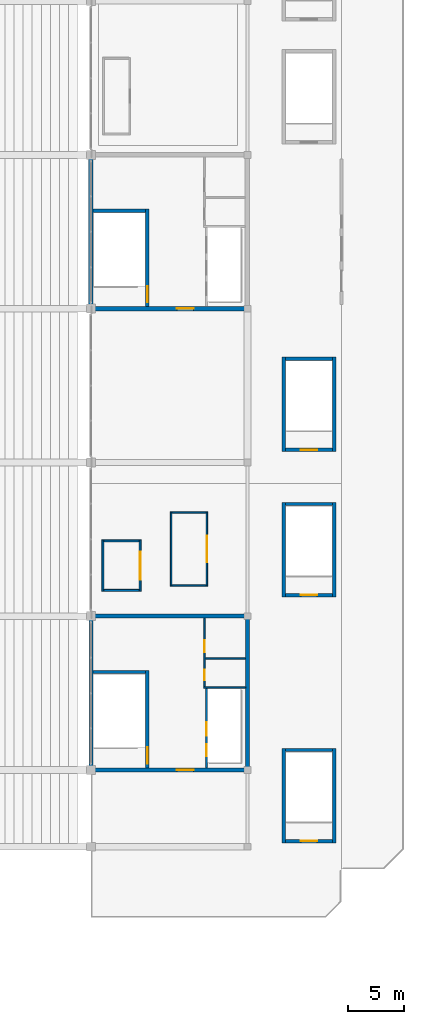
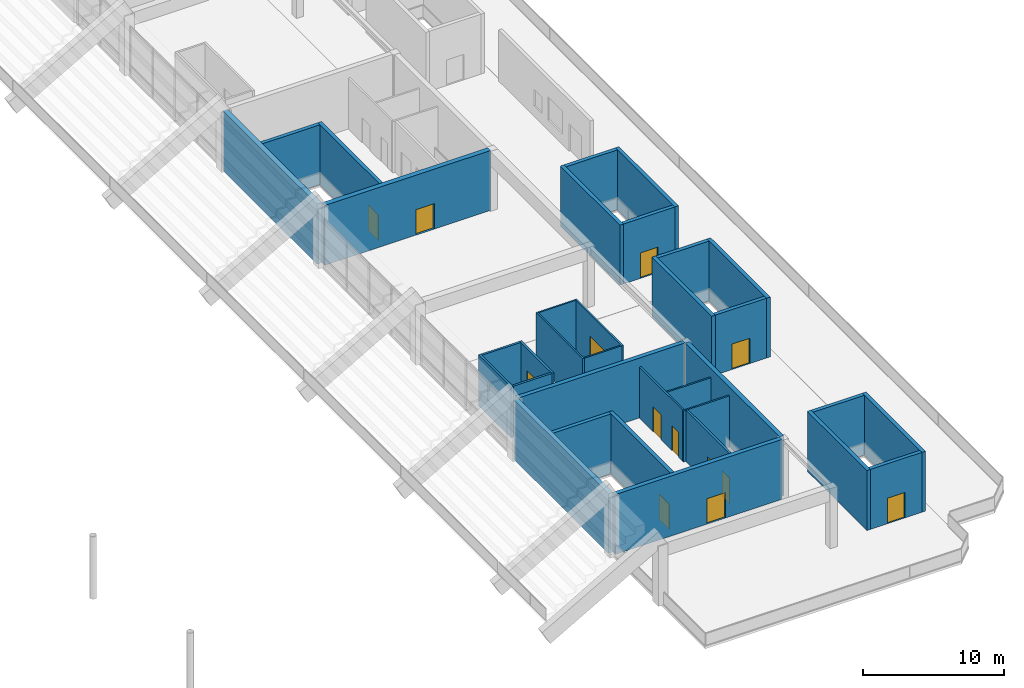
# One storey, part 73 of 90: 34 walls, 13 doors, 13 openings.
"""IFC4 building model written with IfcOpenShell, lengths in metres."""

from ifc_helpers import new_model, si_unit, direction, frame, frame_2d, origin, place, context, subcontext, project, spatial, rectangle, extrude, material, layer, layer_set, type_object, element, fill, save


model = new_model("IFC4")

# Units and contexts
model_context = context("Model", 3, precision=1e-05, world=origin(), true_north=direction((0.0, 1.0)))
body_context = subcontext(model_context, "Body", "Model", "MODEL_VIEW")
ifc_project = project(units=[si_unit("LENGTHUNIT", "METRE"), si_unit("AREAUNIT", "SQUARE_METRE"), si_unit("VOLUMEUNIT", "CUBIC_METRE"), si_unit("PLANEANGLEUNIT", "RADIAN"), si_unit("MASSUNIT", "GRAM", prefix="KILO")], contexts=[model_context])

# Site, building, storey
site_placement = place(None, origin())
site = spatial("IfcSite", under=ifc_project, at=site_placement, CompositionType="ELEMENT")
building_placement = place(site_placement, origin())
building = spatial("IfcBuilding", under=site, at=building_placement, Name="Linyun Crest Stadium", CompositionType="ELEMENT")
storey_placement = place(building_placement, frame((0.0, 0.0, 21.0)))
storey = spatial("IfcBuildingStorey", under=building, at=storey_placement, Name="L05", CompositionType="ELEMENT", Elevation=21.0)

# Walls
ifc_material_1 = material(Name="Concrete C50", Category="concrete")
ifc_layer_1 = layer(ifc_material_1, 0.35009765625)
ifc_layer_set_1 = layer_set([ifc_layer_1], Name="Concrete C50")
wall_type_1 = type_object("IfcWallType", Name="CW01", PredefinedType="SHEAR", material=ifc_layer_set_1)
for number, where, z_axis, x_axis, name in (
    (1, (70.0, -38.949951171875, 0.0), (0.0, 0.0, 1.0), (0.0, 1.0, 0.0), "Core shear wall CW01 CORE-E1 L05.1"),
    (2, (84.0, -38.949951171875, 0.0), (0.0, 0.0, 1.0), (0.0, 1.0, 0.0), "Core shear wall CW01 CORE-E1 L05.2"),
):
    element("IfcWall", number, at=place(storey_placement, frame(where, z_axis=z_axis, x_axis=x_axis)), inside=storey, type_object=wall_type_1, Name=name, PredefinedType="SHEAR", context=body_context, shape_type="SweptSolid", body=[
        extrude(rectangle(XDim=13.39990234375, YDim=0.35009765625, at=frame_2d((6.699951171875, 0.0))), origin(), (0.0, 0.0, 1.0), 5.18505859375),
    ])

# Wall, opening, door
wall_1_placement = place(storey_placement, frame((70.175048828125, -39.125, 0.0), z_axis=(0.0, 0.0, 1.0), x_axis=(1.0, 0.0, 0.0)))
wall_1 = element("IfcWall", 3, at=wall_1_placement, inside=storey, type_object=wall_type_1, Name="Core shear wall CW01 CORE-E1 L05.3", PredefinedType="SHEAR", context=body_context, shape_type="SweptSolid", body=[
    extrude(rectangle(XDim=13.64990234375, YDim=0.35009765625, at=frame_2d((6.824951171875, 0.0))), origin(), (0.0, 0.0, 1.0), 5.18505859375),
])
opening_1_placement = place(wall_1_placement, frame((7.508056640625, 0.0, 0.0)))
opening_1 = element("IfcOpeningElement", 4, at=opening_1_placement, cuts=wall_1, Name="Opening D-L05-178", PredefinedType="OPENING", context=body_context, shape_type="SweptSolid", body=[
    extrude(rectangle(XDim=1.5, YDim=2.199951171875, at=frame_2d((0.75, 1.10009765625))), frame((0.0, 0.18505859375, 0.0), z_axis=(0.0, -1.0, 0.0), x_axis=(1.0, 0.0, 0.0)), (0.0, 0.0, 1.0), 0.3701171875),
])
ifc_material_2 = material(Name="Galvanized steel Class A fire door", Category="steel")
ifc_layer_2 = layer(ifc_material_2, 0.054931640625)
ifc_layer_set_2 = layer_set([ifc_layer_2], Name="Galvanized steel Class A fire door")
door_type_1 = type_object("IfcDoorType", Name="FD01", OperationType="NOTDEFINED", PredefinedType="DOOR", material=ifc_layer_set_2)
door_1_placement = place(opening_1_placement, origin())
door_1 = element("IfcDoor", 5, at=door_1_placement, inside=storey, type_object=door_type_1, Name="Door D-L05-178", OperationType="SINGLE_SWING_RIGHT", OverallHeight=2.199951171875, OverallWidth=1.5, PredefinedType="DOOR", context=body_context, shape_type="SweptSolid", body=[
    extrude(rectangle(XDim=1.5, YDim=2.199951171875, at=frame_2d((0.75, 1.10009765625))), frame((0.0, 0.02490234375, 0.0), z_axis=(0.0, -1.0, 0.0), x_axis=(1.0, 0.0, 0.0)), (0.0, 0.0, 1.0), 0.050048828125),
])
fill(opening_1, door_1)

# Walls
wall_2_placement = place(storey_placement, frame((70.175048828125, -25.375, 0.0), z_axis=(0.0, 0.0, 1.0), x_axis=(1.0, 0.0, 0.0)))
element("IfcWall", 6, at=wall_2_placement, inside=storey, type_object=wall_type_1, Name="Core shear wall CW01 CORE-E1 L05.4", PredefinedType="SHEAR", context=body_context, shape_type="SweptSolid", body=[
    extrude(rectangle(XDim=13.64990234375, YDim=0.35009765625, at=frame_2d((6.824951171875, 0.0))), origin(), (0.0, 0.0, 1.0), 5.18505859375),
])
ifc_material_3 = material(Name="Concrete C50", Category="concrete")
ifc_layer_3 = layer(ifc_material_3, 0.39990234375)
ifc_layer_set_3 = layer_set([ifc_layer_3], Name="Concrete C50")
wall_type_2 = type_object("IfcWallType", Name="CW02", PredefinedType="SHEAR", material=ifc_layer_set_3)
wall_3_placement = place(storey_placement, frame((70.0, 2.324951171875, 0.0), z_axis=(0.0, 0.0, 1.0), x_axis=(0.0, 1.0, 0.0)))
element("IfcWall", 7, at=wall_3_placement, inside=storey, type_object=wall_type_2, Name="Core shear wall CW02 CORE-E2 L05.1", PredefinedType="SHEAR", context=body_context, shape_type="SweptSolid", body=[
    extrude(rectangle(XDim=13.35009765625, YDim=0.39990234375, at=frame_2d((6.675048828125, 0.0))), origin(), (0.0, 0.0, 1.0), 5.18505859375),
])

# Wall, opening, door
wall_4_placement = place(storey_placement, frame((70.199951171875, 2.125, 0.0), z_axis=(0.0, 0.0, 1.0), x_axis=(1.0, 0.0, 0.0)))
wall_4 = element("IfcWall", 8, at=wall_4_placement, inside=storey, type_object=wall_type_2, Name="Core shear wall CW02 CORE-E2 L05.3", PredefinedType="SHEAR", context=body_context, shape_type="SweptSolid", body=[
    extrude(rectangle(XDim=13.60009765625, YDim=0.39990234375, at=frame_2d((6.800048828125, 0.0))), origin(), (0.0, 0.0, 1.0), 5.18505859375),
])
opening_2_placement = place(wall_4_placement, frame((7.47998046875, 0.0, 0.0)))
opening_2 = element("IfcOpeningElement", 9, at=opening_2_placement, cuts=wall_4, Name="Opening D-L05-219", PredefinedType="OPENING", context=body_context, shape_type="SweptSolid", body=[
    extrude(rectangle(XDim=1.5, YDim=2.199951171875, at=frame_2d((0.75, 1.10009765625))), frame((0.0, 0.2099609375, 0.0), z_axis=(0.0, -1.0, 0.0), x_axis=(1.0, 0.0, 0.0)), (0.0, 0.0, 1.0), 0.419921875),
])
door_2_placement = place(opening_2_placement, origin())
door_2 = element("IfcDoor", 10, at=door_2_placement, inside=storey, type_object=door_type_1, Name="Door D-L05-219", OperationType="SINGLE_SWING_LEFT", OverallHeight=2.199951171875, OverallWidth=1.5, PredefinedType="DOOR", context=body_context, shape_type="SweptSolid", body=[
    extrude(rectangle(XDim=1.5, YDim=2.199951171875, at=frame_2d((0.75, 1.10009765625))), frame((0.0, 0.02490234375, 0.0), z_axis=(0.0, -1.0, 0.0), x_axis=(1.0, 0.0, 0.0)), (0.0, 0.0, 1.0), 0.050048828125),
])
fill(opening_2, door_2)

# Wall, openings, doors
ifc_material_4 = material(Name="Autoclaved aerated concrete block fire partition", Category="concrete")
ifc_layer_4 = layer(ifc_material_4, 0.179931640625)
ifc_layer_set_4 = layer_set([ifc_layer_4], Name="Autoclaved aerated concrete block fire partition")
wall_type_3 = type_object("IfcWallType", Name="PW12", PredefinedType="PARTITIONING", material=ifc_layer_set_4)
wall_5_placement = place(storey_placement, frame((80.35009765625, -38.949951171875, 0.0), z_axis=(0.0, 0.0, 1.0), x_axis=(0.0, 1.0, 0.0)))
wall_5 = element("IfcWall", 11, at=wall_5_placement, inside=storey, type_object=wall_type_3, Name="Partition PW12 L05 67", PredefinedType="PARTITIONING", context=body_context, shape_type="SweptSolid", body=[
    extrude(rectangle(XDim=7.10498046875, YDim=0.179931640625, at=frame_2d((3.552490234375, 0.0))), origin(), (0.0, 0.0, 1.0), 4.419921875),
])
opening_3_placement = place(wall_5_placement, frame((1.02490234375, 0.0, 0.0)))
opening_3 = element("IfcOpeningElement", 12, at=opening_3_placement, cuts=wall_5, Name="Opening LD059", PredefinedType="OPENING", context=body_context, shape_type="SweptSolid", body=[
    extrude(rectangle(XDim=1.10009765625, YDim=2.199951171875, at=frame_2d((0.550048828125, 1.10009765625))), frame((0.0, 0.099853515625, 0.0), z_axis=(0.0, -1.0, 0.0), x_axis=(1.0, 0.0, 0.0)), (0.0, 0.0, 1.0), 0.199951171875),
])
opening_4_placement = place(wall_5_placement, frame((2.875, 0.0, 0.0)))
opening_4 = element("IfcOpeningElement", 13, at=opening_4_placement, cuts=wall_5, Name="Opening LD060", PredefinedType="OPENING", context=body_context, shape_type="SweptSolid", body=[
    extrude(rectangle(XDim=1.199951171875, YDim=2.25, at=frame_2d((0.60009765625, 1.125))), frame((0.0, 0.099853515625, 0.0), z_axis=(0.0, -1.0, 0.0), x_axis=(1.0, 0.0, 0.0)), (0.0, 0.0, 1.0), 0.199951171875),
])
ifc_material_5 = material(Name="Brushed stainless sliding lift door")
ifc_layer_5 = layer(ifc_material_5, 0.050048828125)
ifc_layer_set_5 = layer_set([ifc_layer_5], Name="Brushed stainless sliding lift door")
door_type_2 = type_object("IfcDoorType", Name="LD01", OperationType="NOTDEFINED", PredefinedType="DOOR", material=ifc_layer_set_5)
door_3_placement = place(opening_3_placement, origin())
door_3 = element("IfcDoor", 14, at=door_3_placement, inside=storey, type_object=door_type_2, Name="Lift landing door LD059", OperationType="DOUBLE_DOOR_SLIDING", OverallHeight=2.199951171875, OverallWidth=1.10009765625, PredefinedType="DOOR", context=body_context, shape_type="SweptSolid", body=[
    extrude(rectangle(XDim=1.10009765625, YDim=2.199951171875, at=frame_2d((0.550048828125, 1.10009765625))), frame((0.0, 0.02490234375, 0.0), z_axis=(0.0, -1.0, 0.0), x_axis=(1.0, 0.0, 0.0)), (0.0, 0.0, 1.0), 0.050048828125),
])
fill(opening_3, door_3)
ifc_material_6 = material(Name="Brushed stainless sliding lift door")
ifc_layer_6 = layer(ifc_material_6, 0.050048828125)
ifc_layer_set_6 = layer_set([ifc_layer_6], Name="Brushed stainless sliding lift door")
door_type_3 = type_object("IfcDoorType", Name="LD02", OperationType="NOTDEFINED", PredefinedType="DOOR", material=ifc_layer_set_6)
door_4_placement = place(opening_4_placement, origin())
door_4 = element("IfcDoor", 15, at=door_4_placement, inside=storey, type_object=door_type_3, Name="Lift landing door LD060", OperationType="DOUBLE_DOOR_SLIDING", OverallHeight=2.25, OverallWidth=1.199951171875, PredefinedType="DOOR", context=body_context, shape_type="SweptSolid", body=[
    extrude(rectangle(XDim=1.199951171875, YDim=2.25, at=frame_2d((0.60009765625, 1.125))), frame((0.0, 0.02490234375, 0.0), z_axis=(0.0, -1.0, 0.0), x_axis=(1.0, 0.0, 0.0)), (0.0, 0.0, 1.0), 0.050048828125),
])
fill(opening_4, door_4)

ifc_material_7 = material(Name="Moisture-resistant ceramic-tiled wet-room wall")
ifc_layer_7 = layer(ifc_material_7, 0.139892578125)
ifc_layer_set_7 = layer_set([ifc_layer_7], Name="Moisture-resistant ceramic-tiled wet-room wall")
wall_type_4 = type_object("IfcWallType", Name="PW15", PredefinedType="PARTITIONING", material=ifc_layer_set_7)
wall_6_placement = place(storey_placement, frame((80.14990234375, -31.705078125, 0.0), z_axis=(0.0, 0.0, 1.0), x_axis=(0.0, 1.0, 0.0)))
wall_6 = element("IfcWall", 16, at=wall_6_placement, inside=storey, type_object=wall_type_4, Name="Partition PW15 L05 68", PredefinedType="PARTITIONING", context=body_context, shape_type="SweptSolid", body=[
    extrude(rectangle(XDim=6.155029296875, YDim=0.139892578125, at=frame_2d((3.07763671875, 0.0))), origin(), (0.0, 0.0, 1.0), 4.419921875),
])
opening_5_placement = place(wall_6_placement, frame((0.580078125, 0.0, 0.0)))
opening_5 = element("IfcOpeningElement", 17, at=opening_5_placement, cuts=wall_6, Name="Opening D-L05-182", PredefinedType="OPENING", context=body_context, shape_type="SweptSolid", body=[
    extrude(rectangle(XDim=0.949951171875, YDim=2.14990234375, at=frame_2d((0.47509765625, 1.074951171875))), frame((0.0, 0.079833984375, 0.0), z_axis=(0.0, -1.0, 0.0), x_axis=(1.0, 0.0, 0.0)), (0.0, 0.0, 1.0), 0.159912109375),
])
opening_6_placement = place(wall_6_placement, frame((3.080078125, 0.0, 0.0)))
opening_6 = element("IfcOpeningElement", 18, at=opening_6_placement, cuts=wall_6, Name="Opening D-L05-183", PredefinedType="OPENING", context=body_context, shape_type="SweptSolid", body=[
    extrude(rectangle(XDim=1.10009765625, YDim=2.14990234375, at=frame_2d((0.550048828125, 1.074951171875))), frame((0.0, 0.079833984375, 0.0), z_axis=(0.0, -1.0, 0.0), x_axis=(1.0, 0.0, 0.0)), (0.0, 0.0, 1.0), 0.159912109375),
])
ifc_material_8 = material(Name="Moisture-resistant laminate leaf")
ifc_layer_8 = layer(ifc_material_8, 0.044921875)
ifc_layer_set_8 = layer_set([ifc_layer_8], Name="Moisture-resistant laminate leaf")
door_type_4 = type_object("IfcDoorType", Name="ID02", OperationType="NOTDEFINED", PredefinedType="DOOR", material=ifc_layer_set_8)
door_5_placement = place(opening_5_placement, origin())
door_5 = element("IfcDoor", 19, at=door_5_placement, inside=storey, type_object=door_type_4, Name="Door D-L05-182", OperationType="SINGLE_SWING_RIGHT", OverallHeight=2.14990234375, OverallWidth=0.949951171875, PredefinedType="DOOR", context=body_context, shape_type="SweptSolid", body=[
    extrude(rectangle(XDim=0.949951171875, YDim=2.14990234375, at=frame_2d((0.47509765625, 1.074951171875))), frame((0.0, 0.02490234375, 0.0), z_axis=(0.0, -1.0, 0.0), x_axis=(1.0, 0.0, 0.0)), (0.0, 0.0, 1.0), 0.050048828125),
])
fill(opening_5, door_5)
ifc_material_9 = material(Name="Moisture-resistant laminate leaf")
ifc_layer_9 = layer(ifc_material_9, 0.044921875)
ifc_layer_set_9 = layer_set([ifc_layer_9], Name="Moisture-resistant laminate leaf")
door_type_5 = type_object("IfcDoorType", Name="ID03", OperationType="NOTDEFINED", PredefinedType="DOOR", material=ifc_layer_set_9)
door_6_placement = place(opening_6_placement, origin())
door_6 = element("IfcDoor", 20, at=door_6_placement, inside=storey, type_object=door_type_5, Name="Door D-L05-183", OperationType="SINGLE_SWING_LEFT", OverallHeight=2.14990234375, OverallWidth=1.10009765625, PredefinedType="DOOR", context=body_context, shape_type="SweptSolid", body=[
    extrude(rectangle(XDim=1.10009765625, YDim=2.14990234375, at=frame_2d((0.550048828125, 1.074951171875))), frame((0.0, 0.02490234375, 0.0), z_axis=(0.0, -1.0, 0.0), x_axis=(1.0, 0.0, 0.0)), (0.0, 0.0, 1.0), 0.050048828125),
])
fill(opening_6, door_6)

# Walls
wall_7_placement = place(storey_placement, frame((80.080078125, -31.77490234375, 0.0), z_axis=(0.0, 0.0, 1.0), x_axis=(1.0, 0.0, 0.0)))
element("IfcWall", 21, at=wall_7_placement, inside=storey, type_object=wall_type_4, Name="Enclosure partition PW15 L05 53", PredefinedType="PARTITIONING", context=body_context, shape_type="SweptSolid", body=[
    extrude(rectangle(XDim=3.744873046875, YDim=0.139892578125, at=frame_2d((1.87255859375, 0.0))), origin(), (0.0, 0.0, 1.0), 4.419921875),
])
wall_8_placement = place(storey_placement, frame((80.219970703125, -29.175048828125, 0.0), z_axis=(0.0, 0.0, 1.0), x_axis=(1.0, 0.0, 0.0)))
element("IfcWall", 22, at=wall_8_placement, inside=storey, type_object=wall_type_4, Name="Enclosure partition PW15 L05 54", PredefinedType="PARTITIONING", context=body_context, shape_type="SweptSolid", body=[
    extrude(rectangle(XDim=3.60498046875, YDim=0.139892578125, at=frame_2d((1.802490234375, 0.0))), origin(), (0.0, 0.0, 1.0), 4.419921875),
])

# Wall, opening, door
ifc_material_10 = material(Name="Acoustic commentary booth partition")
ifc_layer_10 = layer(ifc_material_10, 0.1298828125)
ifc_layer_set_10 = layer_set([ifc_layer_10], Name="Acoustic commentary booth partition")
wall_type_5 = type_object("IfcWallType", Name="PW22", PredefinedType="PARTITIONING", material=ifc_layer_set_10)
wall_9_placement = place(storey_placement, frame((80.3779296875, -16.050048828125, 0.0), z_axis=(0.0, 0.0, 1.0), x_axis=(0.0, -1.0, 0.0)))
wall_9 = element("IfcWall", 23, at=wall_9_placement, inside=storey, type_object=wall_type_5, Name="Partition PW22 L05 231", PredefinedType="PARTITIONING", context=body_context, shape_type="SweptSolid", body=[
    extrude(rectangle(XDim=6.6298828125, YDim=0.1298828125, at=frame_2d((3.31494140625, 0.0))), origin(), (0.0, 0.0, 1.0), 4.419921875),
])
opening_7_placement = place(wall_9_placement, frame((2.139892578125, 0.0, 0.0)))
opening_7 = element("IfcOpeningElement", 24, at=opening_7_placement, cuts=wall_9, Name="Opening D-L05-494", PredefinedType="OPENING", context=body_context, shape_type="SweptSolid", body=[
    extrude(rectangle(XDim=2.35009765625, YDim=2.5, at=frame_2d((1.175048828125, 1.25))), frame((0.0, 0.074951171875, 0.0), z_axis=(0.0, -1.0, 0.0), x_axis=(1.0, 0.0, 0.0)), (0.0, 0.0, 1.0), 0.14990234375),
])
ifc_material_11 = material(Name="Wide impact-resistant double leaf")
ifc_layer_11 = layer(ifc_material_11, 0.054931640625)
ifc_layer_set_11 = layer_set([ifc_layer_11], Name="Wide impact-resistant double leaf")
door_type_6 = type_object("IfcDoorType", Name="ID14", OperationType="NOTDEFINED", PredefinedType="DOOR", material=ifc_layer_set_11)
door_7_placement = place(opening_7_placement, origin())
door_7 = element("IfcDoor", 25, at=door_7_placement, inside=storey, type_object=door_type_6, Name="Door D-L05-494", OperationType="DOUBLE_DOOR_SINGLE_SWING", OverallHeight=2.5, OverallWidth=2.35009765625, PredefinedType="DOOR", context=body_context, shape_type="SweptSolid", body=[
    extrude(rectangle(XDim=2.35009765625, YDim=2.5, at=frame_2d((1.175048828125, 1.25))), frame((0.0, 0.02490234375, 0.0), z_axis=(0.0, -1.0, 0.0), x_axis=(1.0, 0.0, 0.0)), (0.0, 0.0, 1.0), 0.050048828125),
])
fill(opening_7, door_7)

# Walls
wall_10_placement = place(storey_placement, frame((77.177978515625, -22.679931640625, 0.0), z_axis=(0.0, 0.0, 1.0), x_axis=(0.0, 1.0, 0.0)))
element("IfcWall", 26, at=wall_10_placement, inside=storey, type_object=wall_type_5, Name="Enclosure partition PW22 L05 409", PredefinedType="PARTITIONING", context=body_context, shape_type="SweptSolid", body=[
    extrude(rectangle(XDim=6.6298828125, YDim=0.1298828125, at=frame_2d((3.31494140625, 0.0))), origin(), (0.0, 0.0, 1.0), 4.419921875),
])
for number, where, z_axis, x_axis, name in (
    (27, (77.242919921875, -22.614990234375, 0.0), (0.0, 0.0, 1.0), (1.0, 0.0, 0.0), "Enclosure partition PW22 L05 410"),
    (28, (77.242919921875, -16.114990234375, 0.0), (0.0, 0.0, 1.0), (1.0, 0.0, 0.0), "Enclosure partition PW22 L05 411"),
):
    element("IfcWall", number, at=place(storey_placement, frame(where, z_axis=z_axis, x_axis=x_axis)), inside=storey, type_object=wall_type_5, Name=name, PredefinedType="PARTITIONING", context=body_context, shape_type="SweptSolid", body=[
        extrude(rectangle(XDim=3.070068359375, YDim=0.1298828125, at=frame_2d((1.53515625, 0.0))), origin(), (0.0, 0.0, 1.0), 4.419921875),
    ])

# Wall, opening, door
ifc_material_12 = material(Name="Concourse concession fire-rated masonry wall", Category="masonry")
ifc_layer_12 = layer(ifc_material_12, 0.175048828125)
ifc_layer_set_12 = layer_set([ifc_layer_12], Name="Concourse concession fire-rated masonry wall")
wall_type_6 = type_object("IfcWallType", Name="PW24", PredefinedType="PARTITIONING", material=ifc_layer_set_12)
wall_11_placement = place(storey_placement, frame((74.409912109375, -18.554931640625, 0.0), z_axis=(0.0, 0.0, 1.0), x_axis=(0.0, -1.0, 0.0)))
wall_11 = element("IfcWall", 29, at=wall_11_placement, inside=storey, type_object=wall_type_6, Name="Partition PW24 L05 233", PredefinedType="PARTITIONING", context=body_context, shape_type="SweptSolid", body=[
    extrude(rectangle(XDim=4.60009765625, YDim=0.175048828125, at=frame_2d((2.300048828125, 0.0))), origin(), (0.0, 0.0, 1.0), 4.419921875),
])
opening_8_placement = place(wall_11_placement, frame((1.050048828125, 0.0, 0.0)))
opening_8 = element("IfcOpeningElement", 30, at=opening_8_placement, cuts=wall_11, Name="Opening D-L05-496", PredefinedType="OPENING", context=body_context, shape_type="SweptSolid", body=[
    extrude(rectangle(XDim=2.5, YDim=2.5, at=frame_2d((1.25, 1.25))), frame((0.0, 0.097412109375, 0.0), z_axis=(0.0, -1.0, 0.0), x_axis=(1.0, 0.0, 0.0)), (0.0, 0.0, 1.0), 0.195068359375),
])
ifc_material_13 = material(Name="Verdigris framed glazed concourse door")
ifc_layer_13 = layer(ifc_material_13, 0.054931640625)
ifc_layer_set_13 = layer_set([ifc_layer_13], Name="Verdigris framed glazed concourse door")
door_type_7 = type_object("IfcDoorType", Name="ID16", OperationType="NOTDEFINED", PredefinedType="DOOR", material=ifc_layer_set_13)
door_8_placement = place(opening_8_placement, origin())
door_8 = element("IfcDoor", 31, at=door_8_placement, inside=storey, type_object=door_type_7, Name="Door D-L05-496", OperationType="DOUBLE_DOOR_SINGLE_SWING", OverallHeight=2.5, OverallWidth=2.5, PredefinedType="DOOR", context=body_context, shape_type="SweptSolid", body=[
    extrude(rectangle(XDim=2.5, YDim=2.5, at=frame_2d((1.25, 1.25))), frame((0.0, 0.02490234375, 0.0), z_axis=(0.0, -1.0, 0.0), x_axis=(1.0, 0.0, 0.0)), (0.0, 0.0, 1.0), 0.050048828125),
])
fill(opening_8, door_8)

# Walls
wall_12_placement = place(storey_placement, frame((71.070068359375, -23.155029296875, 0.0), z_axis=(0.0, 0.0, 1.0), x_axis=(0.0, 1.0, 0.0)))
element("IfcWall", 32, at=wall_12_placement, inside=storey, type_object=wall_type_6, Name="Enclosure partition PW24 L05 415", PredefinedType="PARTITIONING", context=body_context, shape_type="SweptSolid", body=[
    extrude(rectangle(XDim=4.60009765625, YDim=0.175048828125, at=frame_2d((2.300048828125, 0.0))), origin(), (0.0, 0.0, 1.0), 4.419921875),
])
for number, where, z_axis, x_axis, name in (
    (33, (71.157958984375, -23.06689453125, 0.0), (0.0, 0.0, 1.0), (1.0, 0.0, 0.0), "Enclosure partition PW24 L05 416"),
    (34, (71.157958984375, -18.64306640625, 0.0), (0.0, 0.0, 1.0), (1.0, 0.0, 0.0), "Enclosure partition PW24 L05 417"),
):
    element("IfcWall", number, at=place(storey_placement, frame(where, z_axis=z_axis, x_axis=x_axis)), inside=storey, type_object=wall_type_6, Name=name, PredefinedType="PARTITIONING", context=body_context, shape_type="SweptSolid", body=[
        extrude(rectangle(XDim=3.1640625, YDim=0.175048828125, at=frame_2d((1.58203125, 0.0))), origin(), (0.0, 0.0, 1.0), 4.419921875),
    ])

# Wall, opening, door
ifc_material_14 = material(Name="Concrete C50", Category="concrete")
ifc_layer_14 = layer(ifc_material_14, 0.300048828125)
ifc_layer_set_14 = layer_set([ifc_layer_14], Name="Concrete C50")
wall_type_7 = type_object("IfcWallType", Name="SW01", PredefinedType="SHEAR", material=ifc_layer_set_14)
wall_13_placement = place(storey_placement, frame((75.050048828125, -38.949951171875, 0.0), z_axis=(0.0, 0.0, 1.0), x_axis=(0.0, 1.0, 0.0)))
wall_13 = element("IfcWall", 35, at=wall_13_placement, inside=storey, type_object=wall_type_7, Name="Core stair east bearing wall SW01 4 L05", PredefinedType="SHEAR", context=body_context, shape_type="SweptSolid", body=[
    extrude(rectangle(XDim=8.724853515625, YDim=0.300048828125, at=frame_2d((4.3623046875, 0.0))), origin(), (0.0, 0.0, 1.0), 5.18505859375),
])
opening_9_placement = place(wall_13_placement, frame((0.39501953125, 0.0, 0.0)))
opening_9 = element("IfcOpeningElement", 36, at=opening_9_placement, cuts=wall_13, Name="Opening D-L05-179", PredefinedType="OPENING", context=body_context, shape_type="SweptSolid", body=[
    extrude(rectangle(XDim=1.449951171875, YDim=2.199951171875, at=frame_2d((0.72509765625, 1.10009765625))), frame((0.0, 0.159912109375, 0.0), z_axis=(0.0, -1.0, 0.0), x_axis=(1.0, 0.0, 0.0)), (0.0, 0.0, 1.0), 0.320068359375),
])
ifc_material_15 = material(Name="Galvanized steel Class A fire door", Category="steel")
ifc_layer_15 = layer(ifc_material_15, 0.054931640625)
ifc_layer_set_15 = layer_set([ifc_layer_15], Name="Galvanized steel Class A fire door")
door_type_8 = type_object("IfcDoorType", Name="FD02", OperationType="NOTDEFINED", PredefinedType="DOOR", material=ifc_layer_set_15)
door_9_placement = place(opening_9_placement, origin())
door_9 = element("IfcDoor", 37, at=door_9_placement, inside=storey, type_object=door_type_8, Name="Door D-L05-179", OperationType="SINGLE_SWING_LEFT", OverallHeight=2.199951171875, OverallWidth=1.449951171875, PredefinedType="DOOR", context=body_context, shape_type="SweptSolid", body=[
    extrude(rectangle(XDim=1.449951171875, YDim=2.199951171875, at=frame_2d((0.72509765625, 1.10009765625))), frame((0.0, 0.02490234375, 0.0), z_axis=(0.0, -1.0, 0.0), x_axis=(1.0, 0.0, 0.0)), (0.0, 0.0, 1.0), 0.050048828125),
])
fill(opening_9, door_9)

wall_14_placement = place(storey_placement, frame((75.050048828125, 2.324951171875, 0.0), z_axis=(0.0, 0.0, 1.0), x_axis=(0.0, 1.0, 0.0)))
wall_14 = element("IfcWall", 38, at=wall_14_placement, inside=storey, type_object=wall_type_7, Name="Core stair east bearing wall SW01 5 L05", PredefinedType="SHEAR", context=body_context, shape_type="SweptSolid", body=[
    extrude(rectangle(XDim=8.699951171875, YDim=0.300048828125, at=frame_2d((4.35009765625, 0.0))), origin(), (0.0, 0.0, 1.0), 5.18505859375),
])
opening_10_placement = place(wall_14_placement, frame((0.3701171875, 0.0, 0.0)))
opening_10 = element("IfcOpeningElement", 39, at=opening_10_placement, cuts=wall_14, Name="Opening D-L05-220", PredefinedType="OPENING", context=body_context, shape_type="SweptSolid", body=[
    extrude(rectangle(XDim=1.449951171875, YDim=2.199951171875, at=frame_2d((0.72509765625, 1.10009765625))), frame((0.0, 0.159912109375, 0.0), z_axis=(0.0, -1.0, 0.0), x_axis=(1.0, 0.0, 0.0)), (0.0, 0.0, 1.0), 0.320068359375),
])
door_10_placement = place(opening_10_placement, origin())
door_10 = element("IfcDoor", 40, at=door_10_placement, inside=storey, type_object=door_type_8, Name="Door D-L05-220", OperationType="SINGLE_SWING_RIGHT", OverallHeight=2.199951171875, OverallWidth=1.449951171875, PredefinedType="DOOR", context=body_context, shape_type="SweptSolid", body=[
    extrude(rectangle(XDim=1.449951171875, YDim=2.199951171875, at=frame_2d((0.72509765625, 1.10009765625))), frame((0.0, 0.02490234375, 0.0), z_axis=(0.0, -1.0, 0.0), x_axis=(1.0, 0.0, 0.0)), (0.0, 0.0, 1.0), 0.050048828125),
])
fill(opening_10, door_10)

# Walls
wall_15_placement = place(storey_placement, frame((70.175048828125, -30.375, 0.0), z_axis=(0.0, 0.0, 1.0), x_axis=(1.0, 0.0, 0.0)))
element("IfcWall", 41, at=wall_15_placement, inside=storey, type_object=wall_type_7, Name="Core stair bearing wall SW01 4 L05", PredefinedType="SHEAR", context=body_context, shape_type="SweptSolid", body=[
    extrude(rectangle(XDim=4.724853515625, YDim=0.300048828125, at=frame_2d((2.3623046875, 0.0))), origin(), (0.0, 0.0, 1.0), 5.18505859375),
])
wall_16_placement = place(storey_placement, frame((70.199951171875, 10.875, 0.0), z_axis=(0.0, 0.0, 1.0), x_axis=(1.0, 0.0, 0.0)))
element("IfcWall", 42, at=wall_16_placement, inside=storey, type_object=wall_type_7, Name="Core stair bearing wall SW01 5 L05", PredefinedType="SHEAR", context=body_context, shape_type="SweptSolid", body=[
    extrude(rectangle(XDim=4.699951171875, YDim=0.300048828125, at=frame_2d((2.35009765625, 0.0))), origin(), (0.0, 0.0, 1.0), 5.18505859375),
])

# Wall, opening, door
wall_17_placement = place(storey_placement, frame((87.39990234375, -45.5, 0.0), z_axis=(0.0, 0.0, 1.0), x_axis=(1.0, 0.0, 0.0)))
wall_17 = element("IfcWall", 43, at=wall_17_placement, inside=storey, type_object=wall_type_7, Name="Stair shaft wall SW01 STR-18 L05 S", PredefinedType="SHEAR", context=body_context, shape_type="SweptSolid", body=[
    extrude(rectangle(XDim=4.2001953125, YDim=0.300048828125, at=frame_2d((2.10009765625, 0.0))), origin(), (0.0, 0.0, 1.0), 5.18505859375),
])
opening_11_placement = place(wall_17_placement, frame((1.375, 0.0, 0.0)))
opening_11 = element("IfcOpeningElement", 44, at=opening_11_placement, cuts=wall_17, Name="Opening D-L05-572", PredefinedType="OPENING", context=body_context, shape_type="SweptSolid", body=[
    extrude(rectangle(XDim=1.449951171875, YDim=2.199951171875, at=frame_2d((0.72509765625, 1.10009765625))), frame((0.0, 0.159912109375, 0.0), z_axis=(0.0, -1.0, 0.0), x_axis=(1.0, 0.0, 0.0)), (0.0, 0.0, 1.0), 0.320068359375),
])
door_11_placement = place(opening_11_placement, origin())
door_11 = element("IfcDoor", 45, at=door_11_placement, inside=storey, type_object=door_type_8, Name="Door D-L05-572", OperationType="SINGLE_SWING_RIGHT", OverallHeight=2.199951171875, OverallWidth=1.449951171875, PredefinedType="DOOR", context=body_context, shape_type="SweptSolid", body=[
    extrude(rectangle(XDim=1.449951171875, YDim=2.199951171875, at=frame_2d((0.72509765625, 1.10009765625))), frame((0.0, 0.02490234375, 0.0), z_axis=(0.0, -1.0, 0.0), x_axis=(1.0, 0.0, 0.0)), (0.0, 0.0, 1.0), 0.050048828125),
])
fill(opening_11, door_11)

# Walls
wall_18_placement = place(storey_placement, frame((87.39990234375, -37.35009765625, 0.0), z_axis=(0.0, 0.0, 1.0), x_axis=(1.0, 0.0, 0.0)))
element("IfcWall", 46, at=wall_18_placement, inside=storey, type_object=wall_type_7, Name="Stair shaft wall SW01 STR-18 L05 N", PredefinedType="SHEAR", context=body_context, shape_type="SweptSolid", body=[
    extrude(rectangle(XDim=4.2001953125, YDim=0.300048828125, at=frame_2d((2.10009765625, 0.0))), origin(), (0.0, 0.0, 1.0), 5.18505859375),
])
for number, where, z_axis, x_axis, name in (
    (47, (87.25, -45.64990234375, 0.0), (0.0, 0.0, 1.0), (0.0, 1.0, 0.0), "Stair shaft wall SW01 STR-18 L05 W"),
    (48, (91.75, -45.64990234375, 0.0), (0.0, 0.0, 1.0), (0.0, 1.0, 0.0), "Stair shaft wall SW01 STR-18 L05 E"),
):
    element("IfcWall", number, at=place(storey_placement, frame(where, z_axis=z_axis, x_axis=x_axis)), inside=storey, type_object=wall_type_7, Name=name, PredefinedType="SHEAR", context=body_context, shape_type="SweptSolid", body=[
        extrude(rectangle(XDim=8.449951171875, YDim=0.300048828125, at=frame_2d((4.22509765625, 0.0))), origin(), (0.0, 0.0, 1.0), 5.18505859375),
    ])

# Wall, opening, door
wall_19_placement = place(storey_placement, frame((87.39990234375, -23.5, 0.0), z_axis=(0.0, 0.0, 1.0), x_axis=(1.0, 0.0, 0.0)))
wall_19 = element("IfcWall", 49, at=wall_19_placement, inside=storey, type_object=wall_type_7, Name="Stair shaft wall SW01 STR-19 L05 S", PredefinedType="SHEAR", context=body_context, shape_type="SweptSolid", body=[
    extrude(rectangle(XDim=4.2001953125, YDim=0.300048828125, at=frame_2d((2.10009765625, 0.0))), origin(), (0.0, 0.0, 1.0), 5.18505859375),
])
opening_12_placement = place(wall_19_placement, frame((1.375, 0.0, 0.0)))
opening_12 = element("IfcOpeningElement", 50, at=opening_12_placement, cuts=wall_19, Name="Opening D-L05-577", PredefinedType="OPENING", context=body_context, shape_type="SweptSolid", body=[
    extrude(rectangle(XDim=1.449951171875, YDim=2.199951171875, at=frame_2d((0.72509765625, 1.10009765625))), frame((0.0, 0.159912109375, 0.0), z_axis=(0.0, -1.0, 0.0), x_axis=(1.0, 0.0, 0.0)), (0.0, 0.0, 1.0), 0.320068359375),
])
door_12_placement = place(opening_12_placement, origin())
door_12 = element("IfcDoor", 51, at=door_12_placement, inside=storey, type_object=door_type_8, Name="Door D-L05-577", OperationType="SINGLE_SWING_LEFT", OverallHeight=2.199951171875, OverallWidth=1.449951171875, PredefinedType="DOOR", context=body_context, shape_type="SweptSolid", body=[
    extrude(rectangle(XDim=1.449951171875, YDim=2.199951171875, at=frame_2d((0.72509765625, 1.10009765625))), frame((0.0, 0.02490234375, 0.0), z_axis=(0.0, -1.0, 0.0), x_axis=(1.0, 0.0, 0.0)), (0.0, 0.0, 1.0), 0.050048828125),
])
fill(opening_12, door_12)

# Walls
wall_20_placement = place(storey_placement, frame((87.39990234375, -15.35009765625, 0.0), z_axis=(0.0, 0.0, 1.0), x_axis=(1.0, 0.0, 0.0)))
element("IfcWall", 52, at=wall_20_placement, inside=storey, type_object=wall_type_7, Name="Stair shaft wall SW01 STR-19 L05 N", PredefinedType="SHEAR", context=body_context, shape_type="SweptSolid", body=[
    extrude(rectangle(XDim=4.2001953125, YDim=0.300048828125, at=frame_2d((2.10009765625, 0.0))), origin(), (0.0, 0.0, 1.0), 5.18505859375),
])
for number, where, z_axis, x_axis, name in (
    (53, (87.25, -23.64990234375, 0.0), (0.0, 0.0, 1.0), (0.0, 1.0, 0.0), "Stair shaft wall SW01 STR-19 L05 W"),
    (54, (91.75, -23.64990234375, 0.0), (0.0, 0.0, 1.0), (0.0, 1.0, 0.0), "Stair shaft wall SW01 STR-19 L05 E"),
):
    element("IfcWall", number, at=place(storey_placement, frame(where, z_axis=z_axis, x_axis=x_axis)), inside=storey, type_object=wall_type_7, Name=name, PredefinedType="SHEAR", context=body_context, shape_type="SweptSolid", body=[
        extrude(rectangle(XDim=8.449951171875, YDim=0.300048828125, at=frame_2d((4.22509765625, 0.0))), origin(), (0.0, 0.0, 1.0), 5.18505859375),
    ])

# Wall, opening, door
wall_21_placement = place(storey_placement, frame((87.39990234375, -10.5, 0.0), z_axis=(0.0, 0.0, 1.0), x_axis=(1.0, 0.0, 0.0)))
wall_21 = element("IfcWall", 55, at=wall_21_placement, inside=storey, type_object=wall_type_7, Name="Stair shaft wall SW01 STR-20 L05 S", PredefinedType="SHEAR", context=body_context, shape_type="SweptSolid", body=[
    extrude(rectangle(XDim=4.2001953125, YDim=0.300048828125, at=frame_2d((2.10009765625, 0.0))), origin(), (0.0, 0.0, 1.0), 5.18505859375),
])
opening_13_placement = place(wall_21_placement, frame((1.375, 0.0, 0.0)))
opening_13 = element("IfcOpeningElement", 56, at=opening_13_placement, cuts=wall_21, Name="Opening D-L05-583", PredefinedType="OPENING", context=body_context, shape_type="SweptSolid", body=[
    extrude(rectangle(XDim=1.449951171875, YDim=2.199951171875, at=frame_2d((0.72509765625, 1.10009765625))), frame((0.0, 0.159912109375, 0.0), z_axis=(0.0, -1.0, 0.0), x_axis=(1.0, 0.0, 0.0)), (0.0, 0.0, 1.0), 0.320068359375),
])
door_13_placement = place(opening_13_placement, origin())
door_13 = element("IfcDoor", 57, at=door_13_placement, inside=storey, type_object=door_type_8, Name="Door D-L05-583", OperationType="SINGLE_SWING_LEFT", OverallHeight=2.199951171875, OverallWidth=1.449951171875, PredefinedType="DOOR", context=body_context, shape_type="SweptSolid", body=[
    extrude(rectangle(XDim=1.449951171875, YDim=2.199951171875, at=frame_2d((0.72509765625, 1.10009765625))), frame((0.0, 0.02490234375, 0.0), z_axis=(0.0, -1.0, 0.0), x_axis=(1.0, 0.0, 0.0)), (0.0, 0.0, 1.0), 0.050048828125),
])
fill(opening_13, door_13)

# Walls
wall_22_placement = place(storey_placement, frame((87.39990234375, -2.35009765625, 0.0), z_axis=(0.0, 0.0, 1.0), x_axis=(1.0, 0.0, 0.0)))
element("IfcWall", 58, at=wall_22_placement, inside=storey, type_object=wall_type_7, Name="Stair shaft wall SW01 STR-20 L05 N", PredefinedType="SHEAR", context=body_context, shape_type="SweptSolid", body=[
    extrude(rectangle(XDim=4.2001953125, YDim=0.300048828125, at=frame_2d((2.10009765625, 0.0))), origin(), (0.0, 0.0, 1.0), 5.18505859375),
])
for number, where, z_axis, x_axis, name in (
    (59, (87.25, -10.64990234375, 0.0), (0.0, 0.0, 1.0), (0.0, 1.0, 0.0), "Stair shaft wall SW01 STR-20 L05 W"),
    (60, (91.75, -10.64990234375, 0.0), (0.0, 0.0, 1.0), (0.0, 1.0, 0.0), "Stair shaft wall SW01 STR-20 L05 E"),
):
    element("IfcWall", number, at=place(storey_placement, frame(where, z_axis=z_axis, x_axis=x_axis)), inside=storey, type_object=wall_type_7, Name=name, PredefinedType="SHEAR", context=body_context, shape_type="SweptSolid", body=[
        extrude(rectangle(XDim=8.449951171875, YDim=0.300048828125, at=frame_2d((4.22509765625, 0.0))), origin(), (0.0, 0.0, 1.0), 5.18505859375),
    ])

save(model, "model.ifc")
